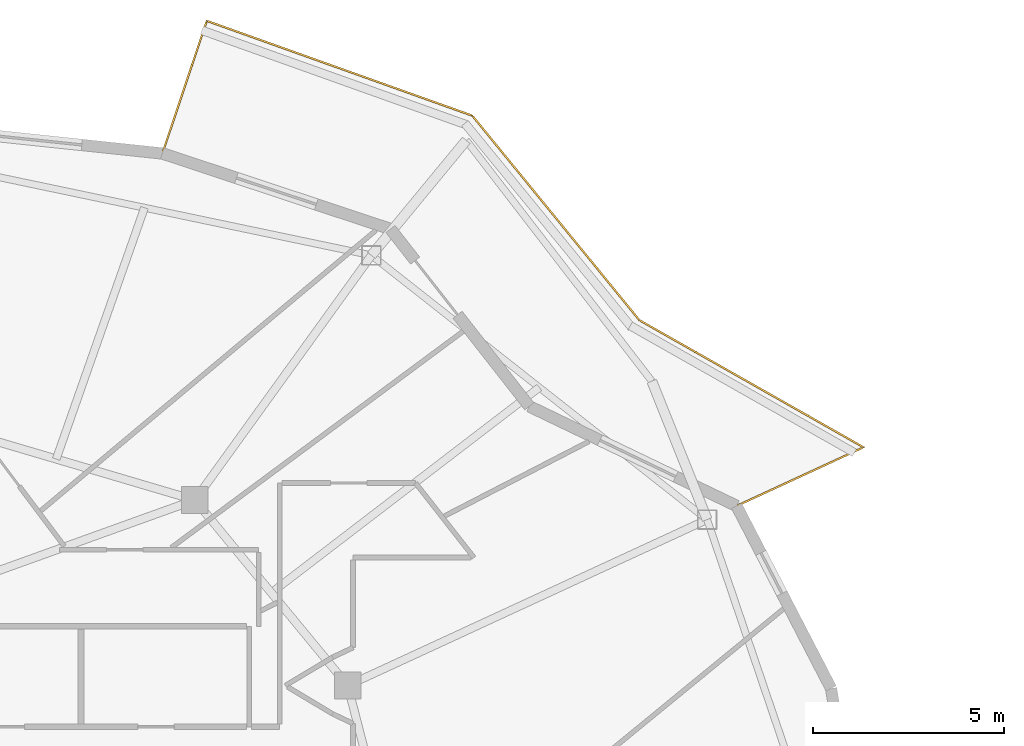
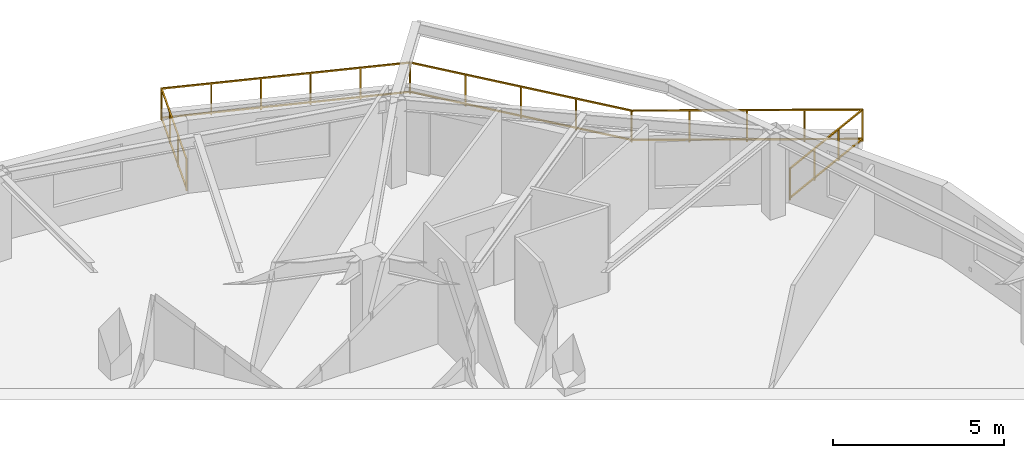
# One storey, part 14 of 14: 1 railing.
"""IFC4 building model written with IfcOpenShell, lengths in metres."""

from ifc_helpers import new_model, si_unit, direction, frame, origin, origin_2d, place, context, subcontext, project, spatial, rectangle, extrude, material, type_object, element, save


model = new_model("IFC4")

# Units and contexts
model_context = context("Model", 3, precision=1e-05, world=origin(), true_north=direction((0.0, 1.0)))
body_context = subcontext(model_context, "Body", "Model", "MODEL_VIEW")
ifc_project = project(units=[si_unit("LENGTHUNIT", "METRE"), si_unit("AREAUNIT", "SQUARE_METRE"), si_unit("VOLUMEUNIT", "CUBIC_METRE"), si_unit("PLANEANGLEUNIT", "RADIAN"), si_unit("MASSUNIT", "GRAM", prefix="KILO")], contexts=[model_context])

# Site, building, storey
site_placement = place(None, origin())
site = spatial("IfcSite", under=ifc_project, at=site_placement, CompositionType="ELEMENT")
building_placement = place(site_placement, origin())
building = spatial("IfcBuilding", under=site, at=building_placement, Name="Kolvaren Gate Tower and Convention Centre", CompositionType="ELEMENT")
storey_placement = place(building_placement, frame((0.0, 0.0, 216.199951171875)))
storey = spatial("IfcBuildingStorey", under=building, at=storey_placement, Name="L57", CompositionType="ELEMENT", Elevation=216.199951171875)

# Railing
ifc_material = material(Name="Brushed Stainless Steel Grade 316L", Category="steel")
railing_type = type_object("IfcRailingType", Name="ARCH-RL-GUARD-1150", PredefinedType="GUARDRAIL", material=ifc_material)
railing_placement = place(storey_placement, frame((51.55908203125, 36.89990234375, 0.0)))
element("IfcRailing", 1, at=railing_placement, inside=storey, type_object=railing_type, Name="Tower L57 Terrace Perimeter Guardrail GR-1", PredefinedType="GUARDRAIL", context=body_context, shape_type="SweptSolid", body=[
    extrude(rectangle(XDim=0.048095703125, YDim=0.048095703125, at=origin_2d()), frame((0.025390625, 0.01171875, 1.1259765625), z_axis=(0.907820723829, 0.419358478377, 0.0), x_axis=(-0.419358478377, 0.907820723829, 0.0)), (0.0, 0.0, 1.0), 3.60400390625),
    extrude(rectangle(XDim=0.048095703125, YDim=0.048095703125, at=origin_2d()), frame((0.025390625, 0.01171875, 0.083984375), z_axis=(0.907820723829, 0.419358478377, 0.0), x_axis=(-0.419358478377, 0.907820723829, 0.0)), (0.0, 0.0, 1.0), 3.60400390625),
    extrude(rectangle(XDim=0.048095703125, YDim=0.048095703125, at=origin_2d()), frame((3.29833984375, 1.548828125, 1.1259765625), z_axis=(-0.869876155964, 0.493270182846, 0.0), x_axis=(-0.493270182846, -0.869876155964, 0.0)), (0.0, 0.0, 1.0), 6.6865234375),
    extrude(rectangle(XDim=0.048095703125, YDim=0.048095703125, at=origin_2d()), frame((3.29833984375, 1.548828125, 0.083984375), z_axis=(-0.869876155964, 0.493270182846, 0.0), x_axis=(-0.493270182846, -0.869876155964, 0.0)), (0.0, 0.0, 1.0), 6.6865234375),
    extrude(rectangle(XDim=0.048095703125, YDim=0.048095703125, at=origin_2d()), frame((-2.560302734375, 4.882568359375, 1.1259765625), z_axis=(-0.632718487063, 0.77438189295, 0.0), x_axis=(-0.77438189295, -0.632718487063, 0.0)), (0.0, 0.0, 1.0), 6.858154296875),
    extrude(rectangle(XDim=0.048095703125, YDim=0.048095703125, at=origin_2d()), frame((-2.560302734375, 4.882568359375, 0.083984375), z_axis=(-0.632718487063, 0.77438189295, 0.0), x_axis=(-0.77438189295, -0.632718487063, 0.0)), (0.0, 0.0, 1.0), 6.858154296875),
    extrude(rectangle(XDim=0.048095703125, YDim=0.048095703125, at=origin_2d()), frame((-6.943603515625, 10.224609375, 1.1259765625), z_axis=(-0.941783827204, 0.336219010197, 0.0), x_axis=(-0.336219010197, -0.941783827204, 0.0)), (0.0, 0.0, 1.0), 7.322265625),
    extrude(rectangle(XDim=0.048095703125, YDim=0.048095703125, at=origin_2d()), frame((-6.943603515625, 10.224609375, 0.083984375), z_axis=(-0.941783827204, 0.336219010197, 0.0), x_axis=(-0.336219010197, -0.941783827204, 0.0)), (0.0, 0.0, 1.0), 7.322265625),
    extrude(rectangle(XDim=0.048095703125, YDim=0.048095703125, at=origin_2d()), frame((-13.874755859375, 12.669189453125, 1.1259765625), z_axis=(-0.317588247294, -0.948228719867, 0.0), x_axis=(0.948228719867, -0.317588247294, 0.0)), (0.0, 0.0, 1.0), 3.603759765625),
    extrude(rectangle(XDim=0.048095703125, YDim=0.048095703125, at=origin_2d()), frame((-13.874755859375, 12.669189453125, 0.083984375), z_axis=(-0.317588247294, -0.948228719867, 0.0), x_axis=(0.948228719867, -0.317588247294, 0.0)), (0.0, 0.0, 1.0), 3.603759765625),
    extrude(rectangle(XDim=0.0419921875, YDim=0.0419921875, at=origin_2d()), origin(), (0.0, 0.0, 1.0), 1.14990234375),
    extrude(rectangle(XDim=0.0419921875, YDim=0.0419921875, at=origin_2d()), frame((3.32275390625, 1.534912109375, 0.0)), (0.0, 0.0, 1.0), 1.14990234375),
    extrude(rectangle(XDim=0.0419921875, YDim=0.0419921875, at=origin_2d()), frame((1.107666015625, 0.51171875, 0.0)), (0.0, 0.0, 1.0), 1.099853515625),
    extrude(rectangle(XDim=0.0419921875, YDim=0.0419921875, at=origin_2d()), frame((2.215087890625, 1.023193359375, 0.0)), (0.0, 0.0, 1.0), 1.099853515625),
    extrude(rectangle(XDim=0.0419921875, YDim=0.0419921875, at=origin_2d()), frame((-2.54248046875, 4.86083984375, 0.0)), (0.0, 0.0, 1.0), 1.14990234375),
    extrude(rectangle(XDim=0.0419921875, YDim=0.0419921875, at=origin_2d()), frame((1.8564453125, 2.366455078125, 0.0)), (0.0, 0.0, 1.0), 1.099853515625),
    extrude(rectangle(XDim=0.0419921875, YDim=0.0419921875, at=origin_2d()), frame((0.39013671875, 3.19775390625, 0.0)), (0.0, 0.0, 1.0), 1.099853515625),
    extrude(rectangle(XDim=0.0419921875, YDim=0.0419921875, at=origin_2d()), frame((-1.076171875, 4.029296875, 0.0)), (0.0, 0.0, 1.0), 1.099853515625),
    extrude(rectangle(XDim=0.0419921875, YDim=0.0419921875, at=origin_2d()), frame((-6.917236328125, 10.215087890625, 0.0)), (0.0, 0.0, 1.0), 1.14990234375),
    extrude(rectangle(XDim=0.0419921875, YDim=0.0419921875, at=origin_2d()), frame((-3.63623046875, 6.199462890625, 0.0)), (0.0, 0.0, 1.0), 1.099853515625),
    extrude(rectangle(XDim=0.0419921875, YDim=0.0419921875, at=origin_2d()), frame((-4.72998046875, 7.5380859375, 0.0)), (0.0, 0.0, 1.0), 1.099853515625),
    extrude(rectangle(XDim=0.0419921875, YDim=0.0419921875, at=origin_2d()), frame((-5.823486328125, 8.87646484375, 0.0)), (0.0, 0.0, 1.0), 1.099853515625),
    extrude(rectangle(XDim=0.0419921875, YDim=0.0419921875, at=origin_2d()), frame((-13.865966796875, 12.69580078125, 0.0)), (0.0, 0.0, 1.0), 1.14990234375),
    extrude(rectangle(XDim=0.0419921875, YDim=0.0419921875, at=origin_2d()), frame((-8.306884765625, 10.711181640625, 0.0)), (0.0, 0.0, 1.0), 1.099853515625),
    extrude(rectangle(XDim=0.0419921875, YDim=0.0419921875, at=origin_2d()), frame((-9.69677734375, 11.207275390625, 0.0)), (0.0, 0.0, 1.0), 1.099853515625),
    extrude(rectangle(XDim=0.0419921875, YDim=0.0419921875, at=origin_2d()), frame((-11.08642578125, 11.70361328125, 0.0)), (0.0, 0.0, 1.0), 1.099853515625),
    extrude(rectangle(XDim=0.0419921875, YDim=0.0419921875, at=origin_2d()), frame((-12.476318359375, 12.19970703125, 0.0)), (0.0, 0.0, 1.0), 1.099853515625),
    extrude(rectangle(XDim=0.0419921875, YDim=0.0419921875, at=origin_2d()), frame((-15.0283203125, 9.225341796875, 0.0)), (0.0, 0.0, 1.0), 1.14990234375),
    extrude(rectangle(XDim=0.0419921875, YDim=0.0419921875, at=origin_2d()), frame((-14.25341796875, 11.5390625, 0.0)), (0.0, 0.0, 1.0), 1.099853515625),
    extrude(rectangle(XDim=0.0419921875, YDim=0.0419921875, at=origin_2d()), frame((-14.640869140625, 10.382080078125, 0.0)), (0.0, 0.0, 1.0), 1.099853515625),
])

save(model, "model.ifc")
